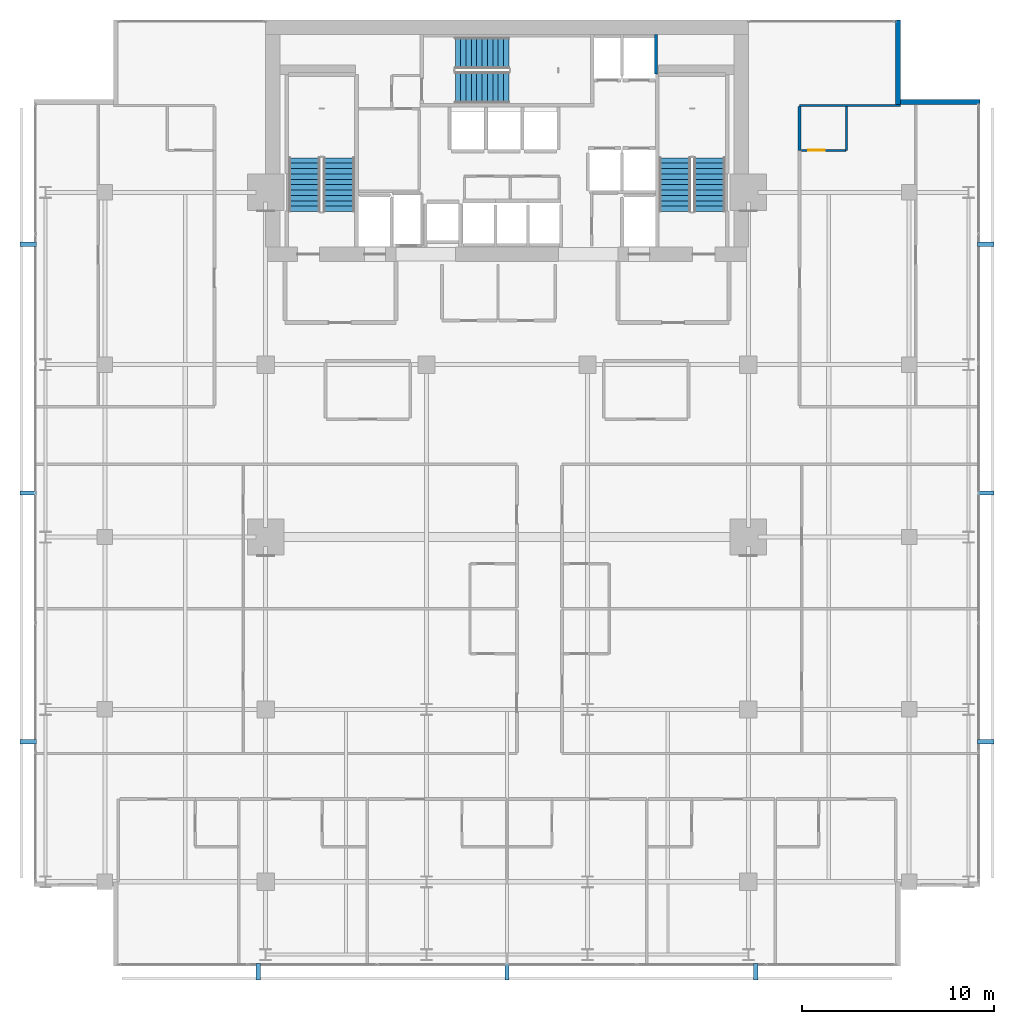
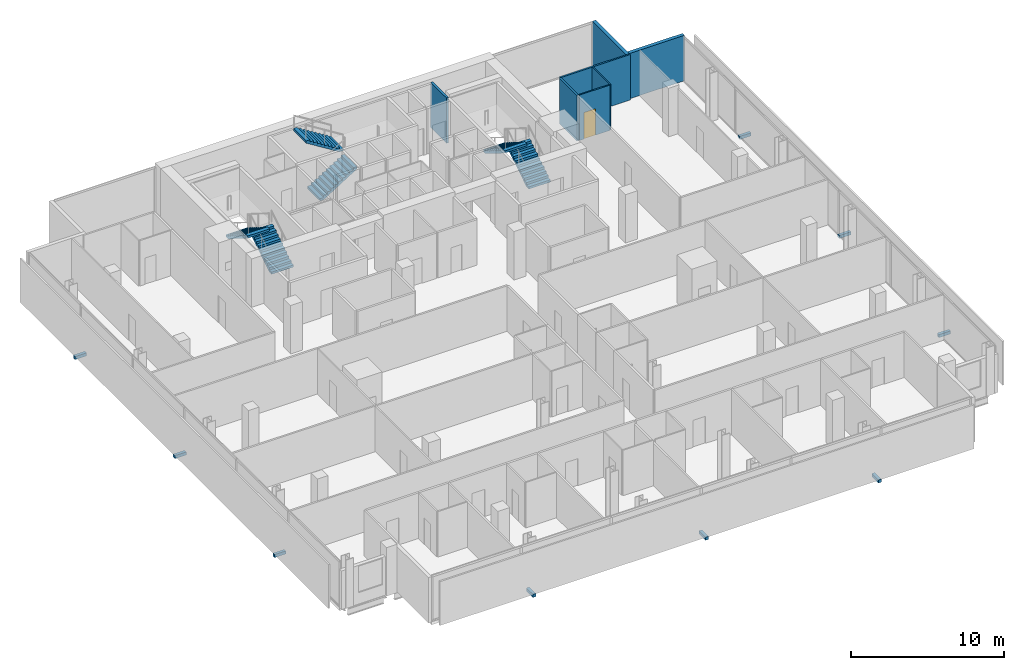
# One storey, part 31 of 33: 9 discrete accessories, 7 walls, 6 stair flights, 1 door, 1 opening, 3 elements without a shape of their own.
"""IFC4 building model written with IfcOpenShell, lengths in metres."""

from ifc_helpers import new_model, si_unit, direction, frame, frame_2d, origin, origin_2d, place, context, subcontext, project, spatial, polyline, rectangle, outline, extrude, material, layer, layer_set, type_object, element, fill, aggregate, save


model = new_model("IFC4")

# Units and contexts
model_context = context("Model", 3, precision=1e-05, world=origin(), true_north=direction((0.0, 1.0)))
body_context = subcontext(model_context, "Body", "Model", "MODEL_VIEW")
ifc_project = project(units=[si_unit("LENGTHUNIT", "METRE"), si_unit("AREAUNIT", "SQUARE_METRE"), si_unit("VOLUMEUNIT", "CUBIC_METRE"), si_unit("PLANEANGLEUNIT", "RADIAN"), si_unit("MASSUNIT", "GRAM", prefix="KILO")], contexts=[model_context])

# Site, building, storey
site_placement = place(None, origin())
site = spatial("IfcSite", under=ifc_project, at=site_placement, CompositionType="ELEMENT")
building_placement = place(site_placement, origin())
building = spatial("IfcBuilding", under=site, at=building_placement, Name="Maruvema Waterfront Hotel and Observation Tower", CompositionType="ELEMENT")
storey_placement = place(building_placement, frame((0.0, 0.0, 204.39990234375)))
storey = spatial("IfcBuildingStorey", under=building, at=storey_placement, Name="L50", CompositionType="ELEMENT", Elevation=204.39990234375)

# Walls
ifc_material_1 = material(Name="Twin-stud acoustic gypsum drywall", Category="gypsum")
ifc_layer_1 = layer(ifc_material_1, 0.14990234375, Name="Acoustic Corridor and Suite Demising Wall 150 mm")
ifc_layer_set_1 = layer_set([ifc_layer_1], Name="Twin-stud acoustic gypsum drywall")
wall_type_1 = type_object("IfcWallType", Name="Acoustic Corridor and Suite Demising Wall 150 mm", PredefinedType="PARTITIONING", material=ifc_layer_set_1)
wall_1_placement = place(storey_placement, frame((53.080078125, 47.1875, 0.0), z_axis=(0.0, 0.0, 1.0), x_axis=(0.0, 1.0, 0.0)))
element("IfcWall", 1, at=wall_1_placement, inside=storey, type_object=wall_type_1, Name="L50 Bath L50-NE1 Wall 102", PredefinedType="PARTITIONING", context=body_context, shape_type="SweptSolid", body=[
    extrude(rectangle(XDim=2.2900390625, YDim=0.14990234375, at=frame_2d((1.14501953125, 0.0))), origin(), (0.0, 0.0, 1.0), 3.610107421875),
])
ifc_material_2 = material(Name="Moisture-resistant cement-board drywall", Category="gypsum")
ifc_layer_2 = layer(ifc_material_2, 0.10009765625, Name="En-Suite Moisture-Resistant Partition 100 mm")
ifc_layer_set_2 = layer_set([ifc_layer_2], Name="Moisture-resistant cement-board drywall")
wall_type_2 = type_object("IfcWallType", Name="En-Suite Moisture-Resistant Partition 100 mm", PredefinedType="PARTITIONING", material=ifc_layer_set_2)
wall_2_placement = place(storey_placement, frame((55.530029296875, 47.1875, 0.0), z_axis=(0.0, 0.0, 1.0), x_axis=(0.0, 1.0, 0.0)))
element("IfcWall", 2, at=wall_2_placement, inside=storey, type_object=wall_type_2, Name="L50 En-Suite L50-NE1 E 103", PredefinedType="PARTITIONING", context=body_context, shape_type="SweptSolid", body=[
    extrude(rectangle(XDim=2.2900390625, YDim=0.10009765625, at=frame_2d((1.14501953125, 0.0))), origin(), (0.0, 0.0, 1.0), 3.610107421875),
])

# Wall, opening, door
wall_3_placement = place(storey_placement, frame((53.179931640625, 47.1875, 0.0), z_axis=(0.0, 0.0, 1.0), x_axis=(1.0, 0.0, 0.0)))
wall_3 = element("IfcWall", 3, at=wall_3_placement, inside=storey, type_object=wall_type_2, Name="L50 En-Suite L50-NE1 S 104", PredefinedType="PARTITIONING", context=body_context, shape_type="SweptSolid", body=[
    extrude(rectangle(XDim=2.300048828125, YDim=0.10009765625, at=frame_2d((1.14990234375, 0.0))), origin(), (0.0, 0.0, 1.0), 3.610107421875),
])
opening_placement = place(wall_3_placement, frame((0.35009765625, 0.0, 0.0)))
opening = element("IfcOpeningElement", 4, at=opening_placement, cuts=wall_3, Name="Opening DR-085", PredefinedType="OPENING", context=body_context, shape_type="SweptSolid", body=[
    extrude(rectangle(XDim=0.85009765625, YDim=2.10009765625, at=frame_2d((0.425048828125, 1.050048828125))), frame((0.0, 0.06005859375, 0.0), z_axis=(0.0, -1.0, 0.0), x_axis=(1.0, 0.0, 0.0)), (0.0, 0.0, 1.0), 0.1201171875),
])
ifc_material_3 = material(Name="Moisture-resistant solid timber leaf", Category="wood")
door_type = type_object("IfcDoorType", Name="En-Suite Bathroom Door 850x2100 mm", OperationType="NOTDEFINED", PredefinedType="DOOR", material=ifc_material_3)
door_placement = place(opening_placement, frame((0.85009765625, 0.0, 0.0), z_axis=(0.0, 0.0, 1.0), x_axis=(-1.0, 0.0, 0.0)))
door = element("IfcDoor", 5, at=door_placement, inside=storey, type_object=door_type, Name="L50 En-Suite L50-NE1 Door", OperationType="SINGLE_SWING_LEFT", OverallHeight=2.10009765625, OverallWidth=0.85009765625, PredefinedType="DOOR", context=body_context, shape_type="SweptSolid", body=[
    extrude(rectangle(XDim=0.85009765625, YDim=2.10009765625, at=frame_2d((0.425048828125, 1.050048828125))), frame((0.0, 0.02490234375, 0.0), z_axis=(0.0, -1.0, 0.0), x_axis=(1.0, 0.0, 0.0)), (0.0, 0.0, 1.0), 0.050048828125),
])
fill(opening, door)

# Walls
ifc_material_4 = material(Name="Precast concrete C45/55 with honed Pernambuco granite facing", Category="masonry")
ifc_layer_3 = layer(ifc_material_4, 0.260009765625, Name="Exterior Granite Clad Spandrel and Pier Wall 260 mm")
ifc_layer_set_3 = layer_set([ifc_layer_3], Name="Precast concrete C45/55 with honed Pernambuco granite facing")
wall_type_3 = type_object("IfcWallType", Name="Exterior Granite Clad Spandrel and Pier Wall 260 mm", PredefinedType="SOLIDWALL", material=ifc_layer_set_3)
for number, where, z_axis, x_axis, name in (
    (6, (58.22998046875, 54.0, 0.0), (0.0, 0.0, 1.0), (0.0, -1.0, 0.0), "L50 Corner Notch Granite Pier Wall NE1"),
    (7, (58.10009765625, 49.72998046875, 0.0), (0.0, 0.0, 1.0), (1.0, 0.0, 0.0), "L50 Corner Notch Granite Pier Wall NE2"),
):
    element("IfcWall", number, at=place(storey_placement, frame(where, z_axis=z_axis, x_axis=x_axis)), inside=storey, type_object=wall_type_3, Name=name, PredefinedType="SOLIDWALL", context=body_context, shape_type="SweptSolid", body=[
        extrude(rectangle(XDim=4.39990234375, YDim=0.260009765625, at=frame_2d((2.199951171875, 0.0))), origin(), (0.0, 0.0, 1.0), 3.610107421875),
    ])
ifc_material_5 = material(Name="Acoustic gypsum plasterboard drywall", Category="gypsum")
ifc_layer_4 = layer(ifc_material_5, 0.125, Name="Guestroom Acoustic Demising Wall 125 mm")
ifc_layer_set_4 = layer_set([ifc_layer_4], Name="Acoustic gypsum plasterboard drywall")
wall_type_4 = type_object("IfcWallType", Name="Guestroom Acoustic Demising Wall 125 mm", PredefinedType="PARTITIONING", material=ifc_layer_set_4)
wall_4_placement = place(storey_placement, frame((53.080078125, 49.53759765625, 0.0), z_axis=(0.0, 0.0, 1.0), x_axis=(1.0, 0.0, 0.0)))
element("IfcWall", 8, at=wall_4_placement, inside=storey, type_object=wall_type_4, Name="L50 Z2 NE Top End 095", PredefinedType="PARTITIONING", context=body_context, shape_type="SweptSolid", body=[
    extrude(rectangle(XDim=5.280029296875, YDim=0.125, at=frame_2d((2.64013671875, 0.0))), origin(), (0.0, 0.0, 1.0), 3.610107421875),
])
ifc_material_6 = material(Name="Precast concrete C45/55", Category="concrete")
ifc_layer_5 = layer(ifc_material_6, 0.159912109375, Name="Lift Hoistway Divider Wall 160 mm")
ifc_layer_set_5 = layer_set([ifc_layer_5], Name="Precast concrete C45/55")
wall_type_5 = type_object("IfcWallType", Name="Lift Hoistway Divider Wall 160 mm", PredefinedType="SOLIDWALL", material=ifc_layer_set_5)
wall_5_placement = place(storey_placement, frame((45.590087890625, 51.179931640625, 0.0), z_axis=(0.0, 0.0, 1.0), x_axis=(0.0, 1.0, 0.0)))
element("IfcWall", 9, at=wall_5_placement, inside=storey, type_object=wall_type_5, Name="L50 Hoistway Divider Wall", PredefinedType="SOLIDWALL", context=body_context, shape_type="SweptSolid", body=[
    extrude(rectangle(XDim=2.070068359375, YDim=0.159912109375, at=frame_2d((1.03515625, 0.0))), origin(), (0.0, 0.0, 1.0), 3.610107421875),
])

# Stair, stair flights
ifc_material_7 = material(Name="Concrete C50/60", Category="concrete")
stair_type = type_object("IfcStairType", Name="Dogleg Exit Stair 1650 mm (22R x 175.0 mm)", PredefinedType="HALF_TURN_STAIR", material=ifc_material_7)
stair_1_placement = place(storey_placement, origin())
stair_1 = element("IfcStair", 10, at=stair_1_placement, inside=storey, type_object=stair_type, Name="L50 ST-01", PredefinedType="HALF_TURN_STAIR")
ifc_material_8 = material(Name="Concrete C50/60", Category="concrete")
stair_flight_type = type_object("IfcStairFlightType", Name="Reinforced Concrete Stair Flight 1650 mm (11R x 175.0 mm)", PredefinedType="STRAIGHT", material=ifc_material_8)
stair_flight_1_placement = place(storey_placement, frame((29.02490234375, 44.0, 0.0), z_axis=(0.0, 0.0, 1.0), x_axis=(0.0, 1.0, 0.0)))
stair_flight_1 = element("IfcStairFlight", 11, at=stair_flight_1_placement, type_object=stair_flight_type, Name="ST-01 flight 1", NumberOfRisers=11, NumberOfTreads=10, PredefinedType="STRAIGHT", RiserHeight=0.175, TreadLength=0.28, context=body_context, shape_type="SweptSolid", body=[
    extrude(outline(polyline([(0.0, 0.0), (0.0, 0.175048828125), (0.280029296875, 0.175048828125), (0.280029296875, 0.35009765625), (0.56005859375, 0.35009765625), (0.56005859375, 0.52490234375), (0.840087890625, 0.52490234375), (0.840087890625, 0.699951171875), (1.1201171875, 0.699951171875), (1.1201171875, 0.875), (1.39990234375, 0.875), (1.39990234375, 1.050048828125), (1.679931640625, 1.050048828125), (1.679931640625, 1.22509765625), (1.9599609375, 1.22509765625), (1.9599609375, 1.39990234375), (2.239990234375, 1.39990234375), (2.239990234375, 1.574951171875), (2.52001953125, 1.574951171875), (2.52001953125, 1.75), (2.800048828125, 1.75), (2.800048828125, 1.925048828125), (2.800048828125, 1.5732421875), (0.28271484375, 0.0), (0.0, 0.0)])), frame((0.0, 0.824951171875, 0.0), z_axis=(0.0, -1.0, 0.0), x_axis=(1.0, 0.0, 0.0)), (0.0, 0.0, 1.0), 1.64990234375),
])
stair_flight_2_placement = place(storey_placement, frame((27.22509765625, 46.800048828125, 1.925048828125), z_axis=(0.0, 0.0, 1.0), x_axis=(0.0, -1.0, 0.0)))
stair_flight_2 = element("IfcStairFlight", 12, at=stair_flight_2_placement, type_object=stair_flight_type, Name="ST-01 flight 2", NumberOfRisers=11, NumberOfTreads=10, PredefinedType="STRAIGHT", RiserHeight=0.175, TreadLength=0.28, context=body_context, shape_type="SweptSolid", body=[
    extrude(outline(polyline([(0.0, 0.0), (0.0, 0.175048828125), (0.280029296875, 0.175048828125), (0.280029296875, 0.35009765625), (0.56005859375, 0.35009765625), (0.56005859375, 0.52490234375), (0.840087890625, 0.52490234375), (0.840087890625, 0.699951171875), (1.1201171875, 0.699951171875), (1.1201171875, 0.875), (1.39990234375, 0.875), (1.39990234375, 1.050048828125), (1.679931640625, 1.050048828125), (1.679931640625, 1.22509765625), (1.9599609375, 1.22509765625), (1.9599609375, 1.39990234375), (2.239990234375, 1.39990234375), (2.239990234375, 1.574951171875), (2.52001953125, 1.574951171875), (2.52001953125, 1.75), (2.800048828125, 1.75), (2.800048828125, 1.925048828125), (2.800048828125, 1.5732421875), (0.28271484375, 0.0), (0.0, 0.0)])), frame((0.0, 0.824951171875, 0.0), z_axis=(0.0, -1.0, 0.0), x_axis=(1.0, 0.0, 0.0)), (0.0, 0.0, 1.0), 1.64990234375),
])
aggregate(stair_1, [stair_flight_1, stair_flight_2])

stair_2_placement = place(storey_placement, origin())
stair_2 = element("IfcStair", 13, at=stair_2_placement, inside=storey, type_object=stair_type, Name="L50 ST-02", PredefinedType="HALF_TURN_STAIR")
stair_flight_3_placement = place(storey_placement, frame((35.10009765625, 50.47509765625, 0.0), z_axis=(0.0, 0.0, 1.0), x_axis=(1.0, 0.0, 0.0)))
stair_flight_3 = element("IfcStairFlight", 14, at=stair_flight_3_placement, type_object=stair_flight_type, Name="ST-02 flight 1", NumberOfRisers=11, NumberOfTreads=10, PredefinedType="STRAIGHT", RiserHeight=0.175, TreadLength=0.28, context=body_context, shape_type="SweptSolid", body=[
    extrude(outline(polyline([(0.0, 0.0), (0.0, 0.175048828125), (0.280029296875, 0.175048828125), (0.280029296875, 0.35009765625), (0.56005859375, 0.35009765625), (0.56005859375, 0.52490234375), (0.840087890625, 0.52490234375), (0.840087890625, 0.699951171875), (1.1201171875, 0.699951171875), (1.1201171875, 0.875), (1.39990234375, 0.875), (1.39990234375, 1.050048828125), (1.679931640625, 1.050048828125), (1.679931640625, 1.22509765625), (1.9599609375, 1.22509765625), (1.9599609375, 1.39990234375), (2.239990234375, 1.39990234375), (2.239990234375, 1.574951171875), (2.52001953125, 1.574951171875), (2.52001953125, 1.75), (2.800048828125, 1.75), (2.800048828125, 1.925048828125), (2.800048828125, 1.5732421875), (0.28271484375, 0.0), (0.0, 0.0)])), frame((0.0, 0.824951171875, 0.0), z_axis=(0.0, -1.0, 0.0), x_axis=(1.0, 0.0, 0.0)), (0.0, 0.0, 1.0), 1.64990234375),
])
stair_flight_4_placement = place(storey_placement, frame((37.89990234375, 52.27490234375, 1.925048828125), z_axis=(0.0, 0.0, 1.0), x_axis=(-1.0, 0.0, 0.0)))
stair_flight_4 = element("IfcStairFlight", 15, at=stair_flight_4_placement, type_object=stair_flight_type, Name="ST-02 flight 2", NumberOfRisers=11, NumberOfTreads=10, PredefinedType="STRAIGHT", RiserHeight=0.175, TreadLength=0.28, context=body_context, shape_type="SweptSolid", body=[
    extrude(outline(polyline([(0.0, 0.0), (0.0, 0.175048828125), (0.280029296875, 0.175048828125), (0.280029296875, 0.35009765625), (0.56005859375, 0.35009765625), (0.56005859375, 0.52490234375), (0.840087890625, 0.52490234375), (0.840087890625, 0.699951171875), (1.1201171875, 0.699951171875), (1.1201171875, 0.875), (1.39990234375, 0.875), (1.39990234375, 1.050048828125), (1.679931640625, 1.050048828125), (1.679931640625, 1.22509765625), (1.9599609375, 1.22509765625), (1.9599609375, 1.39990234375), (2.239990234375, 1.39990234375), (2.239990234375, 1.574951171875), (2.52001953125, 1.574951171875), (2.52001953125, 1.75), (2.800048828125, 1.75), (2.800048828125, 1.925048828125), (2.800048828125, 1.5732421875), (0.28271484375, 0.0), (0.0, 0.0)])), frame((0.0, 0.824951171875, 0.0), z_axis=(0.0, -1.0, 0.0), x_axis=(1.0, 0.0, 0.0)), (0.0, 0.0, 1.0), 1.64990234375),
])
aggregate(stair_2, [stair_flight_3, stair_flight_4])

stair_3_placement = place(storey_placement, origin())
stair_3 = element("IfcStair", 16, at=stair_3_placement, inside=storey, type_object=stair_type, Name="L50 ST-03", PredefinedType="HALF_TURN_STAIR")
stair_flight_5_placement = place(storey_placement, frame((48.375, 44.0, 0.0), z_axis=(0.0, 0.0, 1.0), x_axis=(0.0, 1.0, 0.0)))
stair_flight_5 = element("IfcStairFlight", 17, at=stair_flight_5_placement, type_object=stair_flight_type, Name="ST-03 flight 1", NumberOfRisers=11, NumberOfTreads=10, PredefinedType="STRAIGHT", RiserHeight=0.175, TreadLength=0.28, context=body_context, shape_type="SweptSolid", body=[
    extrude(outline(polyline([(0.0, 0.0), (0.0, 0.175048828125), (0.280029296875, 0.175048828125), (0.280029296875, 0.35009765625), (0.56005859375, 0.35009765625), (0.56005859375, 0.52490234375), (0.840087890625, 0.52490234375), (0.840087890625, 0.699951171875), (1.1201171875, 0.699951171875), (1.1201171875, 0.875), (1.39990234375, 0.875), (1.39990234375, 1.050048828125), (1.679931640625, 1.050048828125), (1.679931640625, 1.22509765625), (1.9599609375, 1.22509765625), (1.9599609375, 1.39990234375), (2.239990234375, 1.39990234375), (2.239990234375, 1.574951171875), (2.52001953125, 1.574951171875), (2.52001953125, 1.75), (2.800048828125, 1.75), (2.800048828125, 1.925048828125), (2.800048828125, 1.5732421875), (0.28271484375, 0.0), (0.0, 0.0)])), frame((0.0, 0.824951171875, 0.0), z_axis=(0.0, -1.0, 0.0), x_axis=(1.0, 0.0, 0.0)), (0.0, 0.0, 1.0), 1.64990234375),
])
stair_flight_6_placement = place(storey_placement, frame((46.574951171875, 46.800048828125, 1.925048828125), z_axis=(0.0, 0.0, 1.0), x_axis=(0.0, -1.0, 0.0)))
stair_flight_6 = element("IfcStairFlight", 18, at=stair_flight_6_placement, type_object=stair_flight_type, Name="ST-03 flight 2", NumberOfRisers=11, NumberOfTreads=10, PredefinedType="STRAIGHT", RiserHeight=0.175, TreadLength=0.28, context=body_context, shape_type="SweptSolid", body=[
    extrude(outline(polyline([(0.0, 0.0), (0.0, 0.175048828125), (0.280029296875, 0.175048828125), (0.280029296875, 0.35009765625), (0.56005859375, 0.35009765625), (0.56005859375, 0.52490234375), (0.840087890625, 0.52490234375), (0.840087890625, 0.699951171875), (1.1201171875, 0.699951171875), (1.1201171875, 0.875), (1.39990234375, 0.875), (1.39990234375, 1.050048828125), (1.679931640625, 1.050048828125), (1.679931640625, 1.22509765625), (1.9599609375, 1.22509765625), (1.9599609375, 1.39990234375), (2.239990234375, 1.39990234375), (2.239990234375, 1.574951171875), (2.52001953125, 1.574951171875), (2.52001953125, 1.75), (2.800048828125, 1.75), (2.800048828125, 1.925048828125), (2.800048828125, 1.5732421875), (0.28271484375, 0.0), (0.0, 0.0)])), frame((0.0, 0.824951171875, 0.0), z_axis=(0.0, -1.0, 0.0), x_axis=(1.0, 0.0, 0.0)), (0.0, 0.0, 1.0), 1.64990234375),
])
aggregate(stair_3, [stair_flight_5, stair_flight_6])

# Discrete accessories
ifc_material_9 = material(Name="Duplex stainless steel Grade 2205", Category="steel")
discrete_accessory_type = type_object("IfcDiscreteAccessoryType", Name="Double-Skin Cavity Stainless Outrigger Bracket", PredefinedType="BRACKET", material=ifc_material_9)
for number, where, z_axis, x_axis, name in (
    (19, (24.80810546875, 4.300048828125, -0.14013671875), (0.0, 0.0, 1.0), (1.0, 0.0, 0.0), "L50 Outer Skin Support Bracket 1"),
    (20, (37.800048828125, 4.300048828125, -0.14013671875), (0.0, 0.0, 1.0), (1.0, 0.0, 0.0), "L50 Outer Skin Support Bracket 2"),
    (21, (50.7919921875, 4.300048828125, -0.14013671875), (0.0, 0.0, 1.0), (1.0, 0.0, 0.0), "L50 Outer Skin Support Bracket 3"),
    (22, (62.800048828125, 16.30810546875, -0.14013671875), (0.0, 0.0, 1.0), (0.0, 1.0, 0.0), "L50 Outer Skin Support Bracket 1"),
    (23, (62.800048828125, 29.300048828125, -0.14013671875), (0.0, 0.0, 1.0), (0.0, 1.0, 0.0), "L50 Outer Skin Support Bracket 2"),
    (24, (62.800048828125, 42.2919921875, -0.14013671875), (0.0, 0.0, 1.0), (0.0, 1.0, 0.0), "L50 Outer Skin Support Bracket 3"),
    (25, (12.800048828125, 42.2919921875, -0.14013671875), (0.0, 0.0, 1.0), (0.0, -1.0, 0.0), "L50 Outer Skin Support Bracket 1"),
    (26, (12.800048828125, 29.300048828125, -0.14013671875), (0.0, 0.0, 1.0), (0.0, -1.0, 0.0), "L50 Outer Skin Support Bracket 2"),
    (27, (12.800048828125, 16.30810546875, -0.14013671875), (0.0, 0.0, 1.0), (0.0, -1.0, 0.0), "L50 Outer Skin Support Bracket 3"),
):
    element("IfcDiscreteAccessory", number, at=place(storey_placement, frame(where, z_axis=z_axis, x_axis=x_axis)), inside=storey, type_object=discrete_accessory_type, Name=name, PredefinedType="BRACKET", context=body_context, shape_type="SweptSolid", body=[
        extrude(rectangle(XDim=0.219970703125, YDim=0.860107421875, at=origin_2d()), origin(), (0.0, 0.0, 1.0), 0.239990234375),
    ])

save(model, "model.ifc")
